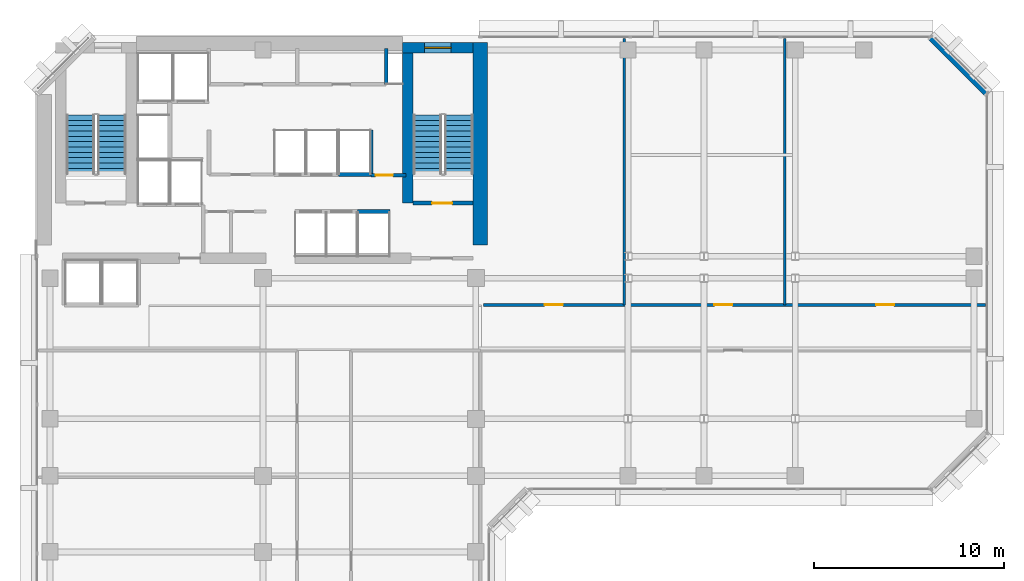
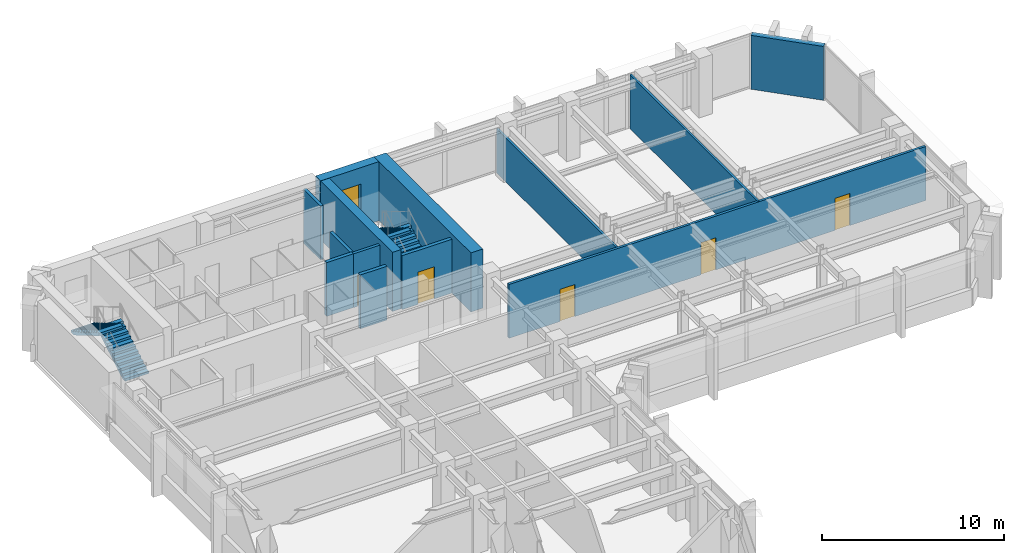
# One storey, part 8 of 11: 13 walls, 5 doors, 4 stair flights, 1 window, 6 openings, 2 elements without a shape of their own.
"""IFC4 building model written with IfcOpenShell, lengths in metres."""

from ifc_helpers import new_model, si_unit, direction, frame, frame_2d, origin, place, context, subcontext, project, spatial, polyline, rectangle, outline, extrude, material, layer, layer_set, type_object, element, fill, aggregate, save


model = new_model("IFC4")

# Units and contexts
model_context = context("Model", 3, precision=1e-05, world=origin(), true_north=direction((0.0, 1.0)))
body_context = subcontext(model_context, "Body", "Model", "MODEL_VIEW")
ifc_project = project(units=[si_unit("LENGTHUNIT", "METRE"), si_unit("AREAUNIT", "SQUARE_METRE"), si_unit("VOLUMEUNIT", "CUBIC_METRE"), si_unit("PLANEANGLEUNIT", "RADIAN"), si_unit("MASSUNIT", "GRAM", prefix="KILO")], contexts=[model_context])

# Site, building, storey
site_placement = place(None, origin())
site = spatial("IfcSite", under=ifc_project, at=site_placement, CompositionType="ELEMENT")
building_placement = place(site_placement, origin())
building = spatial("IfcBuilding", under=site, at=building_placement, Name="Kefirva Bronze Tower", CompositionType="ELEMENT")
storey_placement = place(building_placement, frame((0.0, 0.0, 170.610107421875)))
storey = spatial("IfcBuildingStorey", under=building, at=storey_placement, Name="L41", CompositionType="ELEMENT", Elevation=170.610107421875)

# Walls
ifc_material_1 = material(Name="Gypsum acoustic partition")
ifc_layer_1 = layer(ifc_material_1, 0.1298828125, Name="Gypsum acoustic partition")
ifc_layer_set_1 = layer_set([ifc_layer_1], Name="Gypsum acoustic partition")
wall_type_1 = type_object("IfcWallType", Name="Acoustic Office Partition 130mm", PredefinedType="PARTITIONING", material=ifc_layer_set_1)
wall_1_placement = place(storey_placement, frame((30.994873046875, 31.800048828125, 0.0), z_axis=(0.0, 0.0, 1.0), x_axis=(0.0, 1.0, 0.0)))
element("IfcWall", 1, at=wall_1_placement, inside=storey, type_object=wall_type_1, Name="L41 Partition W-L41-END1", PredefinedType="PARTITIONING", context=body_context, shape_type="SweptSolid", body=[
    extrude(rectangle(XDim=14.010009765625, YDim=0.1298828125, at=frame_2d((7.0048828125, 0.0))), origin(), (0.0, 0.0, 1.0), 2.94482421875),
])
wall_2_placement = place(storey_placement, frame((39.446044921875, 31.800048828125, 0.0), z_axis=(0.0, 0.0, 1.0), x_axis=(0.0, 1.0, 0.0)))
element("IfcWall", 2, at=wall_2_placement, inside=storey, type_object=wall_type_1, Name="L41 Partition W-L41-END2", PredefinedType="PARTITIONING", context=body_context, shape_type="SweptSolid", body=[
    extrude(rectangle(XDim=14.010009765625, YDim=0.1298828125, at=frame_2d((7.0048828125, 0.0))), origin(), (0.0, 0.0, 1.0), 3.60986328125),
])

# Wall, opening, door
ifc_material_2 = material(Name="Gypsum fireboard shaftwall")
ifc_layer_2 = layer(ifc_material_2, 0.219970703125, Name="Gypsum fireboard shaftwall")
ifc_layer_set_2 = layer_set([ifc_layer_2], Name="Gypsum fireboard shaftwall")
wall_type_2 = type_object("IfcWallType", Name="Fire-Rated Shaft Enclosure Wall 220mm", PredefinedType="PARTITIONING", material=ifc_layer_set_2)
wall_3_placement = place(storey_placement, frame((19.89990234375, 37.14990234375, 0.0), z_axis=(0.0, 0.0, 1.0), x_axis=(1.0, 0.0, 0.0)))
wall_3 = element("IfcWall", 3, at=wall_3_placement, inside=storey, type_object=wall_type_2, Name="L41 Partition W-L41-ST2S", PredefinedType="PARTITIONING", context=body_context, shape_type="SweptSolid", body=[
    extrude(rectangle(XDim=3.150146484375, YDim=0.219970703125, at=frame_2d((1.5751953125, 0.0))), origin(), (0.0, 0.0, 1.0), 3.60986328125),
])
opening_1_placement = place(wall_3_placement, frame((2.050048828125, 0.0, 0.0), z_axis=(0.0, 0.0, 1.0), x_axis=(-1.0, 0.0, 0.0)))
opening_1 = element("IfcOpeningElement", 4, at=opening_1_placement, cuts=wall_3, Name="Opening L41-D003", PredefinedType="OPENING", context=body_context, shape_type="SweptSolid", body=[
    extrude(rectangle(XDim=1.050048828125, YDim=2.14990234375, at=frame_2d((0.52490234375, 1.074951171875))), frame((0.0, 0.1201171875, 0.0), z_axis=(0.0, -1.0, 0.0), x_axis=(1.0, 0.0, 0.0)), (0.0, 0.0, 1.0), 0.239990234375),
])
ifc_material_3 = material(Name="Painted galvanized steel", Category="steel")
door_type_1 = type_object("IfcDoorType", Name="Fire Stair Enclosure Door 1050x2150 FD90S", OperationType="NOTDEFINED", PredefinedType="DOOR", material=ifc_material_3)
door_1_placement = place(opening_1_placement, origin())
door_1 = element("IfcDoor", 5, at=door_1_placement, inside=storey, type_object=door_type_1, Name="Door L41-D003", OperationType="SINGLE_SWING_LEFT", OverallHeight=2.14990234375, OverallWidth=1.050048828125, PredefinedType="DOOR", context=body_context, shape_type="SweptSolid", body=[
    extrude(rectangle(XDim=1.050048828125, YDim=2.14990234375, at=frame_2d((0.52490234375, 1.074951171875))), frame((0.0, 0.02490234375, 0.0), z_axis=(0.0, -1.0, 0.0), x_axis=(1.0, 0.0, 0.0)), (0.0, 0.0, 1.0), 0.050048828125),
])
fill(opening_1, door_1)

# Walls
wall_4_placement = place(storey_placement, frame((17.679931640625, 38.64990234375, 0.0), z_axis=(0.0, 0.0, 1.0), x_axis=(0.0, 1.0, 0.0)))
element("IfcWall", 6, at=wall_4_placement, inside=storey, type_object=wall_type_2, Name="L41 Partition W-L41-HP2E", PredefinedType="PARTITIONING", context=body_context, shape_type="SweptSolid", body=[
    extrude(rectangle(XDim=2.35009765625, YDim=0.199951171875, at=frame_2d((1.175048828125, 0.0))), origin(), (0.0, 0.0, 1.0), 3.60986328125),
])
wall_5_placement = place(storey_placement, frame((16.97998046875, 36.699951171875, 0.0), z_axis=(0.0, 0.0, 1.0), x_axis=(1.0, 0.0, 0.0)))
element("IfcWall", 7, at=wall_5_placement, inside=storey, type_object=wall_type_2, Name="L41 Partition W-L41-HPS", PredefinedType="PARTITIONING", context=body_context, shape_type="SweptSolid", body=[
    extrude(rectangle(XDim=1.699951171875, YDim=0.219970703125, at=frame_2d((0.85009765625, 0.0))), origin(), (0.0, 0.0, 1.0), 3.60986328125),
])
wall_6_placement = place(storey_placement, frame((15.97998046875, 38.64990234375, 0.0), z_axis=(0.0, 0.0, 1.0), x_axis=(1.0, 0.0, 0.0)))
element("IfcWall", 8, at=wall_6_placement, inside=storey, type_object=wall_type_2, Name="L41 Partition W-L41-HPN", PredefinedType="PARTITIONING", context=body_context, shape_type="SweptSolid", body=[
    extrude(rectangle(XDim=1.719970703125, YDim=0.219970703125, at=frame_2d((0.85986328125, 0.0))), origin(), (0.0, 0.0, 1.0), 3.60986328125),
])

# Wall, opening, door
ifc_material_4 = material(Name="Gypsum fireboard barrier")
ifc_layer_3 = layer(ifc_material_4, 0.199951171875, Name="Gypsum fireboard barrier")
ifc_layer_set_3 = layer_set([ifc_layer_3], Name="Gypsum fireboard barrier")
wall_type_3 = type_object("IfcWallType", Name="Firefighting Lobby Barrier Wall 200mm", PredefinedType="PARTITIONING", material=ifc_layer_set_3)
wall_7_placement = place(storey_placement, frame((17.679931640625, 38.6201171875, 0.0), z_axis=(0.0, 0.0, 1.0), x_axis=(1.0, 0.0, 0.0)))
wall_7 = element("IfcWall", 9, at=wall_7_placement, inside=storey, type_object=wall_type_3, Name="L41 Partition W-L41-CPASS", PredefinedType="PARTITIONING", context=body_context, shape_type="SweptSolid", body=[
    extrude(rectangle(XDim=1.840087890625, YDim=0.179931640625, at=frame_2d((0.919921875, 0.0))), origin(), (0.0, 0.0, 1.0), 3.60986328125),
])
opening_2_placement = place(wall_7_placement, frame((0.239990234375, 0.0, 0.0)))
opening_2 = element("IfcOpeningElement", 10, at=opening_2_placement, cuts=wall_7, Name="Opening L41-D-CPAS", PredefinedType="OPENING", context=body_context, shape_type="SweptSolid", body=[
    extrude(rectangle(XDim=0.919921875, YDim=2.10009765625, at=frame_2d((0.4599609375, 1.050048828125))), frame((0.0, 0.10009765625, 0.0), z_axis=(0.0, -1.0, 0.0), x_axis=(1.0, 0.0, 0.0)), (0.0, 0.0, 1.0), 0.199951171875),
])
ifc_material_5 = material(Name="Moisture-resistant timber", Category="wood")
door_type_2 = type_object("IfcDoorType", Name="Accessible Sanitary & WC Door 920x2100", OperationType="NOTDEFINED", PredefinedType="DOOR", material=ifc_material_5)
door_2_placement = place(opening_2_placement, origin())
door_2 = element("IfcDoor", 11, at=door_2_placement, inside=storey, type_object=door_type_2, Name="Door L41-D-CPAS", OperationType="SINGLE_SWING_LEFT", OverallHeight=2.10009765625, OverallWidth=0.919921875, PredefinedType="DOOR", context=body_context, shape_type="SweptSolid", body=[
    extrude(rectangle(XDim=0.919921875, YDim=2.10009765625, at=frame_2d((0.4599609375, 1.050048828125))), frame((0.0, 0.02490234375, 0.0), z_axis=(0.0, -1.0, 0.0), x_axis=(1.0, 0.0, 0.0)), (0.0, 0.0, 1.0), 0.050048828125),
])
fill(opening_2, door_2)

# Wall
ifc_material_6 = material(Name="Precast concrete C40/50", Category="concrete")
ifc_layer_4 = layer(ifc_material_6, 0.320068359375, Name="Precast concrete C40/50")
ifc_layer_set_4 = layer_set([ifc_layer_4], Name="Precast concrete C40/50")
wall_type_4 = type_object("IfcWallType", Name="Precast Insulated Exterior Wall 320mm", PredefinedType="SOLIDWALL", material=ifc_layer_set_4)
wall_8_placement = place(storey_placement, frame((50.048095703125, 42.92578125, 0.0), z_axis=(0.0, 0.0, 1.0), x_axis=(-0.707136318428, 0.707077242712, 0.0)))
element("IfcWall", 12, at=wall_8_placement, inside=storey, type_object=wall_type_4, Name="L41 Exterior Facade Wall 4", PredefinedType="SOLIDWALL", context=body_context, shape_type="SweptSolid", body=[
    extrude(rectangle(XDim=4.132568359375, YDim=0.320068359375, at=frame_2d((2.06640625, 0.0))), origin(), (0.0, 0.0, 1.0), 3.60986328125),
])

# Wall, openings, doors
ifc_layer_5 = layer(ifc_material_1, 0.159912109375, Name="Gypsum acoustic partition")
ifc_layer_set_5 = layer_set([ifc_layer_5], Name="Gypsum acoustic partition")
wall_type_5 = type_object("IfcWallType", Name="Protected Corridor Partition 160mm", PredefinedType="PARTITIONING", material=ifc_layer_set_5)
wall_9_placement = place(storey_placement, frame((23.60009765625, 31.800048828125, 0.0), z_axis=(0.0, 0.0, 1.0), x_axis=(1.0, 0.0, 0.0)))
wall_9 = element("IfcWall", 13, at=wall_9_placement, inside=storey, type_object=wall_type_5, Name="L41 Partition W-L41-EWN", PredefinedType="PARTITIONING", context=body_context, shape_type="SweptSolid", body=[
    extrude(rectangle(XDim=26.409912109375, YDim=0.159912109375, at=frame_2d((13.205078125, 0.0))), origin(), (0.0, 0.0, 1.0), 3.60986328125),
])
opening_3_placement = place(wall_9_placement, frame((3.222412109375, 0.0, 0.0)))
opening_3 = element("IfcOpeningElement", 14, at=opening_3_placement, cuts=wall_9, Name="Opening L41-D-EN1", PredefinedType="OPENING", context=body_context, shape_type="SweptSolid", body=[
    extrude(rectangle(XDim=0.949951171875, YDim=2.14990234375, at=frame_2d((0.47509765625, 1.074951171875))), frame((0.0, 0.08984375, 0.0), z_axis=(0.0, -1.0, 0.0), x_axis=(1.0, 0.0, 0.0)), (0.0, 0.0, 1.0), 0.179931640625),
])
opening_4_placement = place(wall_9_placement, frame((12.1455078125, 0.0, 0.0)))
opening_4 = element("IfcOpeningElement", 15, at=opening_4_placement, cuts=wall_9, Name="Opening L41-D-EN2", PredefinedType="OPENING", context=body_context, shape_type="SweptSolid", body=[
    extrude(rectangle(XDim=0.949951171875, YDim=2.14990234375, at=frame_2d((0.47509765625, 1.074951171875))), frame((0.0, 0.08984375, 0.0), z_axis=(0.0, -1.0, 0.0), x_axis=(1.0, 0.0, 0.0)), (0.0, 0.0, 1.0), 0.179931640625),
])
opening_5_placement = place(wall_9_placement, frame((20.653076171875, 0.0, 0.0)))
opening_5 = element("IfcOpeningElement", 16, at=opening_5_placement, cuts=wall_9, Name="Opening L41-D-EN3", PredefinedType="OPENING", context=body_context, shape_type="SweptSolid", body=[
    extrude(rectangle(XDim=0.949951171875, YDim=2.14990234375, at=frame_2d((0.47509765625, 1.074951171875))), frame((0.0, 0.08984375, 0.0), z_axis=(0.0, -1.0, 0.0), x_axis=(1.0, 0.0, 0.0)), (0.0, 0.0, 1.0), 0.179931640625),
])
ifc_material_7 = material(Name="Acoustic hardwood oak", Category="wood")
door_type_3 = type_object("IfcDoorType", Name="Office & Meeting Room Door 950x2150", OperationType="NOTDEFINED", PredefinedType="DOOR", material=ifc_material_7)
door_3_placement = place(opening_3_placement, origin())
door_3 = element("IfcDoor", 17, at=door_3_placement, inside=storey, type_object=door_type_3, Name="Door L41-D-EN1", OperationType="SINGLE_SWING_RIGHT", OverallHeight=2.14990234375, OverallWidth=0.949951171875, PredefinedType="DOOR", context=body_context, shape_type="SweptSolid", body=[
    extrude(rectangle(XDim=0.949951171875, YDim=2.14990234375, at=frame_2d((0.47509765625, 1.074951171875))), frame((0.0, 0.02490234375, 0.0), z_axis=(0.0, -1.0, 0.0), x_axis=(1.0, 0.0, 0.0)), (0.0, 0.0, 1.0), 0.050048828125),
])
fill(opening_3, door_3)
door_4_placement = place(opening_4_placement, origin())
door_4 = element("IfcDoor", 18, at=door_4_placement, inside=storey, type_object=door_type_3, Name="Door L41-D-EN2", OperationType="SINGLE_SWING_LEFT", OverallHeight=2.14990234375, OverallWidth=0.949951171875, PredefinedType="DOOR", context=body_context, shape_type="SweptSolid", body=[
    extrude(rectangle(XDim=0.949951171875, YDim=2.14990234375, at=frame_2d((0.47509765625, 1.074951171875))), frame((0.0, 0.02490234375, 0.0), z_axis=(0.0, -1.0, 0.0), x_axis=(1.0, 0.0, 0.0)), (0.0, 0.0, 1.0), 0.050048828125),
])
fill(opening_4, door_4)
door_5_placement = place(opening_5_placement, origin())
door_5 = element("IfcDoor", 19, at=door_5_placement, inside=storey, type_object=door_type_3, Name="Door L41-D-EN3", OperationType="SINGLE_SWING_RIGHT", OverallHeight=2.14990234375, OverallWidth=0.949951171875, PredefinedType="DOOR", context=body_context, shape_type="SweptSolid", body=[
    extrude(rectangle(XDim=0.949951171875, YDim=2.14990234375, at=frame_2d((0.47509765625, 1.074951171875))), frame((0.0, 0.02490234375, 0.0), z_axis=(0.0, -1.0, 0.0), x_axis=(1.0, 0.0, 0.0)), (0.0, 0.0, 1.0), 0.050048828125),
])
fill(opening_5, door_5)

# Wall, opening, window
ifc_material_8 = material(Name="Concrete C50/60", Category="concrete")
ifc_layer_6 = layer(ifc_material_8, 0.550048828125, Name="Concrete C50/60")
ifc_layer_set_6 = layer_set([ifc_layer_6], Name="Concrete C50/60")
wall_type_6 = type_object("IfcWallType", Name="RC Rear Core Exterior Wall 550mm", PredefinedType="SHEAR", material=ifc_layer_set_6)
wall_10_placement = place(storey_placement, frame((19.35009765625, 45.320068359375, 0.0), z_axis=(0.0, 0.0, 1.0), x_axis=(1.0, 0.0, 0.0)))
wall_10 = element("IfcWall", 20, at=wall_10_placement, inside=storey, type_object=wall_type_6, Name="L41 Stair 2 North Shear Wall", PredefinedType="SHEAR", context=body_context, shape_type="SweptSolid", body=[
    extrude(rectangle(XDim=3.68994140625, YDim=0.550048828125, at=frame_2d((1.844970703125, 0.0))), origin(), (0.0, 0.0, 1.0), 3.9599609375),
])
opening_6_placement = place(wall_10_placement, frame((1.14990234375, 0.0, 1.050048828125)))
opening_6 = element("IfcOpeningElement", 21, at=opening_6_placement, cuts=wall_10, Name="Opening WN-03", PredefinedType="OPENING", context=body_context, shape_type="SweptSolid", body=[
    extrude(rectangle(XDim=1.39990234375, YDim=1.800048828125, at=frame_2d((0.699951171875, 0.89990234375))), frame((0.0, 0.28515625, 0.0), z_axis=(0.0, -1.0, 0.0), x_axis=(1.0, 0.0, 0.0)), (0.0, 0.0, 1.0), 0.570068359375),
])
ifc_material_9 = material(Name="Laminated low-E double glazing", Category="glass")
window_type = type_object("IfcWindowType", Name="Rear-Core Stair Daylight Window 1400x1800", PartitioningType="SINGLE_PANEL", PredefinedType="WINDOW", material=ifc_material_9)
window_placement = place(opening_6_placement, origin())
window = element("IfcWindow", 22, at=window_placement, inside=storey, type_object=window_type, Name="L41 Stair 2 Daylight Window", OverallHeight=1.800048828125, OverallWidth=1.39990234375, PartitioningType="SINGLE_PANEL", PredefinedType="WINDOW", context=body_context, shape_type="SweptSolid", body=[
    extrude(rectangle(XDim=1.39990234375, YDim=1.800048828125, at=frame_2d((0.699951171875, 0.89990234375))), frame((0.0, 0.030029296875, 0.0), z_axis=(0.0, -1.0, 0.0), x_axis=(1.0, 0.0, 0.0)), (0.0, 0.0, 1.0), 0.06005859375),
])
fill(opening_6, window)

# Walls
ifc_layer_7 = layer(ifc_material_8, 0.550048828125, Name="Concrete C50/60")
ifc_layer_set_7 = layer_set([ifc_layer_7], Name="Concrete C50/60")
wall_type_7 = type_object("IfcWallType", Name="RC Rear Core Interior Wall 550mm", PredefinedType="SHEAR", material=ifc_layer_set_7)
wall_11_placement = place(storey_placement, frame((19.6201171875, 37.14990234375, 0.0), z_axis=(0.0, 0.0, 1.0), x_axis=(0.0, 1.0, 0.0)))
element("IfcWall", 23, at=wall_11_placement, inside=storey, type_object=wall_type_7, Name="L41 Stair 2 West Shear Wall", PredefinedType="SHEAR", context=body_context, shape_type="SweptSolid", body=[
    extrude(rectangle(XDim=7.89013671875, YDim=0.550048828125, at=frame_2d((3.945068359375, 0.0))), origin(), (0.0, 0.0, 1.0), 3.9599609375),
])
ifc_material_10 = material(Name="Concrete C60/75", Category="concrete")
ifc_layer_8 = layer(ifc_material_10, 0.75, Name="Concrete C60/75")
ifc_layer_set_8 = layer_set([ifc_layer_8], Name="Concrete C60/75")
wall_type_8 = type_object("IfcWallType", Name="RC Rear Core Interior Wall 750mm", PredefinedType="SHEAR", material=ifc_layer_set_8)
wall_12_placement = place(storey_placement, frame((23.425048828125, 34.949951171875, 0.0), z_axis=(0.0, 0.0, 1.0), x_axis=(0.0, 1.0, 0.0)))
element("IfcWall", 24, at=wall_12_placement, inside=storey, type_object=wall_type_8, Name="L41 Rear Core East Shear Wall", PredefinedType="SHEAR", context=body_context, shape_type="SweptSolid", body=[
    extrude(rectangle(XDim=10.64013671875, YDim=0.75, at=frame_2d((5.320068359375, 0.0))), origin(), (0.0, 0.0, 1.0), 3.9599609375),
])
ifc_material_11 = material(Name="Moisture-resistant partition")
ifc_layer_9 = layer(ifc_material_11, 0.179931640625, Name="Moisture-resistant partition")
ifc_layer_set_9 = layer_set([ifc_layer_9], Name="Moisture-resistant partition")
wall_type_9 = type_object("IfcWallType", Name="Sanitary Plumbing Chase Wall 180mm", PredefinedType="PLUMBINGWALL", material=ifc_layer_set_9)
wall_13_placement = place(storey_placement, frame((18.47998046875, 43.39990234375, 0.0), z_axis=(0.0, 0.0, 1.0), x_axis=(0.0, 1.0, 0.0)))
element("IfcWall", 25, at=wall_13_placement, inside=storey, type_object=wall_type_9, Name="L41 Partition W-L41-SVCE", PredefinedType="PLUMBINGWALL", context=body_context, shape_type="SweptSolid", body=[
    extrude(rectangle(XDim=1.880126953125, YDim=0.179931640625, at=frame_2d((0.93994140625, 0.0))), origin(), (0.0, 0.0, 1.0), 3.60986328125),
])

# Stair, stair flights
ifc_material_12 = material(Name="Concrete C40/50", Category="concrete")
stair_type = type_object("IfcStairType", Name="RC Dogleg Protected Stair 24R", PredefinedType="HALF_TURN_STAIR", material=ifc_material_12)
stair_1_placement = place(storey_placement, origin())
stair_1 = element("IfcStair", 26, at=stair_1_placement, inside=storey, type_object=stair_type, Name="L41 Protected Exit Stair 1", PredefinedType="HALF_TURN_STAIR")
stair_flight_type = type_object("IfcStairFlightType", Name="RC Straight Stair Flight 24R", PredefinedType="STRAIGHT", material=ifc_material_12)
stair_flight_1_placement = place(storey_placement, frame((4.050048828125, 38.699951171875, 0.0), z_axis=(0.0, 0.0, 1.0), x_axis=(0.0, 1.0, 0.0)))
stair_flight_1 = element("IfcStairFlight", 27, at=stair_flight_1_placement, type_object=stair_flight_type, Name="ST-1 flight 1", NumberOfRisers=12, NumberOfTreads=11, PredefinedType="STRAIGHT", RiserHeight=0.165, TreadLength=0.28, context=body_context, shape_type="SweptSolid", body=[
    extrude(outline(polyline([(0.0, 0.0), (0.0, 0.1650390625), (0.280029296875, 0.1650390625), (0.280029296875, 0.330078125), (0.56005859375, 0.330078125), (0.56005859375, 0.4951171875), (0.840087890625, 0.4951171875), (0.840087890625, 0.659912109375), (1.1201171875, 0.659912109375), (1.1201171875, 0.824951171875), (1.39990234375, 0.824951171875), (1.39990234375, 0.989990234375), (1.679931640625, 0.989990234375), (1.679931640625, 1.155029296875), (1.9599609375, 1.155029296875), (1.9599609375, 1.320068359375), (2.239990234375, 1.320068359375), (2.239990234375, 1.485107421875), (2.52001953125, 1.485107421875), (2.52001953125, 1.64990234375), (2.800048828125, 1.64990234375), (2.800048828125, 1.81494140625), (3.080078125, 1.81494140625), (3.080078125, 1.97998046875), (3.080078125, 1.64111328125), (0.295166015625, 0.0), (0.0, 0.0)])), frame((0.0, 0.75, 0.0), z_axis=(0.0, -1.0, 0.0), x_axis=(1.0, 0.0, 0.0)), (0.0, 0.0, 1.0), 1.5),
])
stair_flight_2_placement = place(storey_placement, frame((2.39990234375, 41.780029296875, 1.97998046875), z_axis=(0.0, 0.0, 1.0), x_axis=(0.0, -1.0, 0.0)))
stair_flight_2 = element("IfcStairFlight", 28, at=stair_flight_2_placement, type_object=stair_flight_type, Name="ST-1 flight 2", NumberOfRisers=12, NumberOfTreads=11, PredefinedType="STRAIGHT", RiserHeight=0.165, TreadLength=0.28, context=body_context, shape_type="SweptSolid", body=[
    extrude(outline(polyline([(0.0, 0.0), (0.0, 0.1650390625), (0.280029296875, 0.1650390625), (0.280029296875, 0.330078125), (0.56005859375, 0.330078125), (0.56005859375, 0.4951171875), (0.840087890625, 0.4951171875), (0.840087890625, 0.659912109375), (1.1201171875, 0.659912109375), (1.1201171875, 0.824951171875), (1.39990234375, 0.824951171875), (1.39990234375, 0.989990234375), (1.679931640625, 0.989990234375), (1.679931640625, 1.155029296875), (1.9599609375, 1.155029296875), (1.9599609375, 1.320068359375), (2.239990234375, 1.320068359375), (2.239990234375, 1.485107421875), (2.52001953125, 1.485107421875), (2.52001953125, 1.64990234375), (2.800048828125, 1.64990234375), (2.800048828125, 1.81494140625), (3.080078125, 1.81494140625), (3.080078125, 1.97998046875), (3.080078125, 1.64111328125), (0.295166015625, 0.0), (0.0, 0.0)])), frame((0.0, 0.75, 0.0), z_axis=(0.0, -1.0, 0.0), x_axis=(1.0, 0.0, 0.0)), (0.0, 0.0, 1.0), 1.5),
])
aggregate(stair_1, [stair_flight_1, stair_flight_2])

stair_2_placement = place(storey_placement, origin())
stair_2 = element("IfcStair", 29, at=stair_2_placement, inside=storey, type_object=stair_type, Name="L41 Protected Exit Stair 2", PredefinedType="HALF_TURN_STAIR")
stair_flight_3_placement = place(storey_placement, frame((22.300048828125, 38.699951171875, 0.0), z_axis=(0.0, 0.0, 1.0), x_axis=(0.0, 1.0, 0.0)))
stair_flight_3 = element("IfcStairFlight", 30, at=stair_flight_3_placement, type_object=stair_flight_type, Name="ST-2 flight 1", NumberOfRisers=12, NumberOfTreads=11, PredefinedType="STRAIGHT", RiserHeight=0.165, TreadLength=0.28, context=body_context, shape_type="SweptSolid", body=[
    extrude(outline(polyline([(0.0, 0.0), (0.0, 0.1650390625), (0.280029296875, 0.1650390625), (0.280029296875, 0.330078125), (0.56005859375, 0.330078125), (0.56005859375, 0.4951171875), (0.840087890625, 0.4951171875), (0.840087890625, 0.659912109375), (1.1201171875, 0.659912109375), (1.1201171875, 0.824951171875), (1.39990234375, 0.824951171875), (1.39990234375, 0.989990234375), (1.679931640625, 0.989990234375), (1.679931640625, 1.155029296875), (1.9599609375, 1.155029296875), (1.9599609375, 1.320068359375), (2.239990234375, 1.320068359375), (2.239990234375, 1.485107421875), (2.52001953125, 1.485107421875), (2.52001953125, 1.64990234375), (2.800048828125, 1.64990234375), (2.800048828125, 1.81494140625), (3.080078125, 1.81494140625), (3.080078125, 1.97998046875), (3.080078125, 1.64111328125), (0.295166015625, 0.0), (0.0, 0.0)])), frame((0.0, 0.75, 0.0), z_axis=(0.0, -1.0, 0.0), x_axis=(1.0, 0.0, 0.0)), (0.0, 0.0, 1.0), 1.5),
])
stair_flight_4_placement = place(storey_placement, frame((20.64990234375, 41.780029296875, 1.97998046875), z_axis=(0.0, 0.0, 1.0), x_axis=(0.0, -1.0, 0.0)))
stair_flight_4 = element("IfcStairFlight", 31, at=stair_flight_4_placement, type_object=stair_flight_type, Name="ST-2 flight 2", NumberOfRisers=12, NumberOfTreads=11, PredefinedType="STRAIGHT", RiserHeight=0.165, TreadLength=0.28, context=body_context, shape_type="SweptSolid", body=[
    extrude(outline(polyline([(0.0, 0.0), (0.0, 0.1650390625), (0.280029296875, 0.1650390625), (0.280029296875, 0.330078125), (0.56005859375, 0.330078125), (0.56005859375, 0.4951171875), (0.840087890625, 0.4951171875), (0.840087890625, 0.659912109375), (1.1201171875, 0.659912109375), (1.1201171875, 0.824951171875), (1.39990234375, 0.824951171875), (1.39990234375, 0.989990234375), (1.679931640625, 0.989990234375), (1.679931640625, 1.155029296875), (1.9599609375, 1.155029296875), (1.9599609375, 1.320068359375), (2.239990234375, 1.320068359375), (2.239990234375, 1.485107421875), (2.52001953125, 1.485107421875), (2.52001953125, 1.64990234375), (2.800048828125, 1.64990234375), (2.800048828125, 1.81494140625), (3.080078125, 1.81494140625), (3.080078125, 1.97998046875), (3.080078125, 1.64111328125), (0.295166015625, 0.0), (0.0, 0.0)])), frame((0.0, 0.75, 0.0), z_axis=(0.0, -1.0, 0.0), x_axis=(1.0, 0.0, 0.0)), (0.0, 0.0, 1.0), 1.5),
])
aggregate(stair_2, [stair_flight_3, stair_flight_4])

save(model, "model.ifc")
